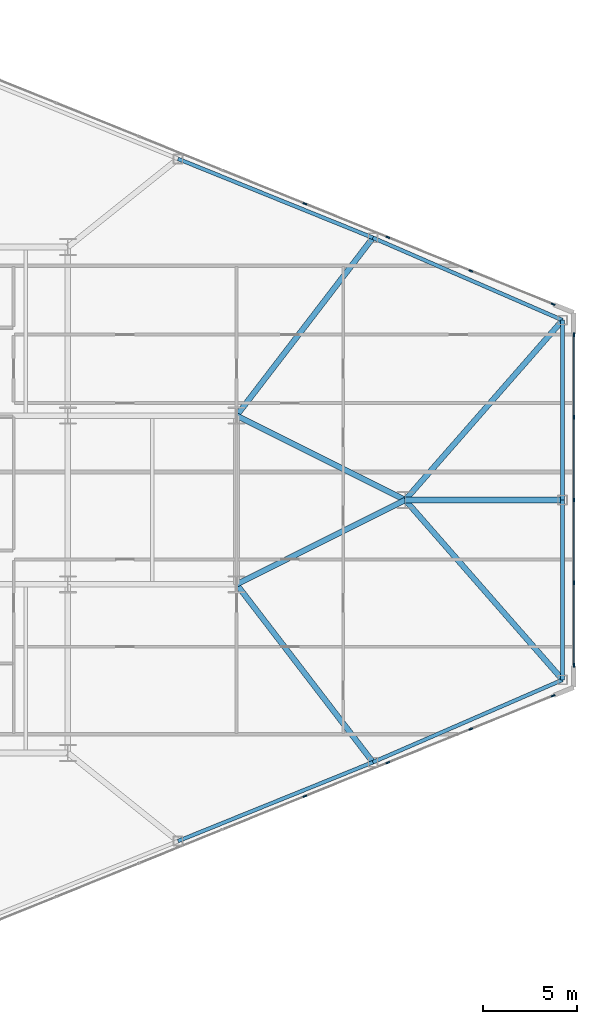
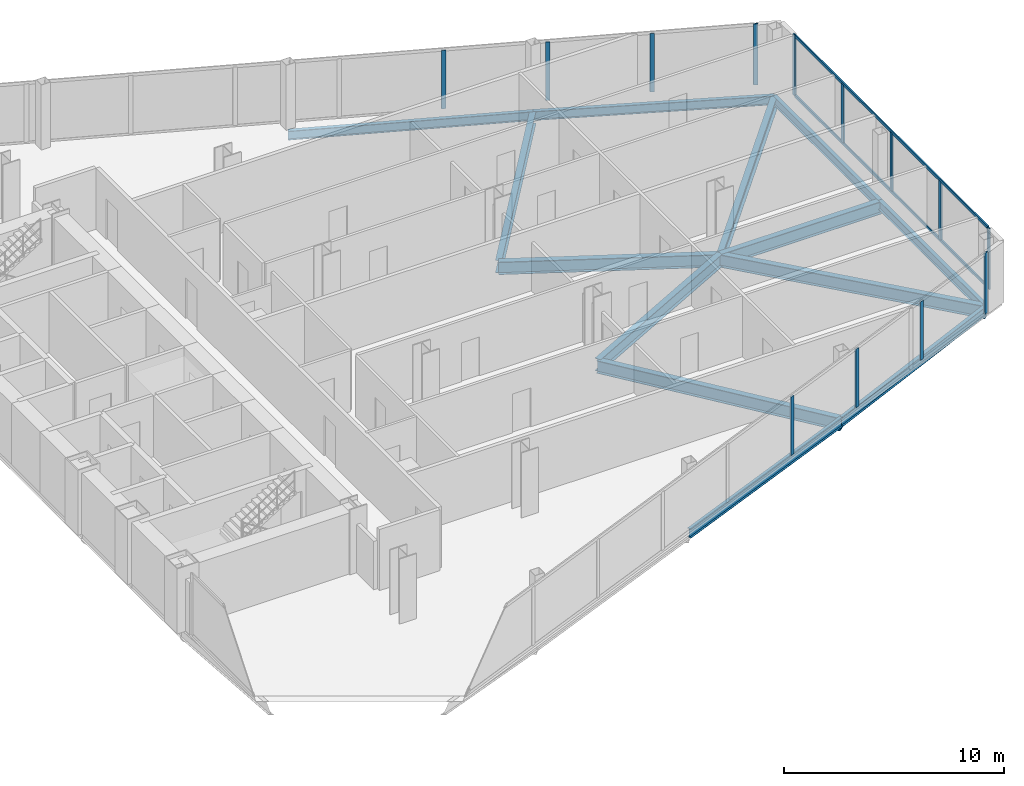
# One storey, part 14 of 25: 15 members, 13 beams, 3 elements without a shape of their own.
"""IFC4 building model written with IfcOpenShell, lengths in metres."""

from ifc_helpers import new_model, si_unit, direction, frame, origin, origin_2d, place, context, subcontext, project, spatial, rectangle, i_section, extrude, source, transform, mapped, material, layer, layer_set, material_profile, profile_set, type_object, type_shapes, element, aggregate, save


model = new_model("IFC4")

# Units and contexts
model_context = context("Model", 3, precision=1e-05, world=origin(), true_north=direction((0.0, 1.0)))
body_context = subcontext(model_context, "Body", "Model", "MODEL_VIEW")
ifc_project = project(units=[si_unit("LENGTHUNIT", "METRE"), si_unit("AREAUNIT", "SQUARE_METRE"), si_unit("VOLUMEUNIT", "CUBIC_METRE"), si_unit("PLANEANGLEUNIT", "RADIAN"), si_unit("MASSUNIT", "GRAM", prefix="KILO")], contexts=[model_context])

# Site, building, storey
site_placement = place(None, origin())
site = spatial("IfcSite", under=ifc_project, at=site_placement, CompositionType="ELEMENT")
building_placement = place(site_placement, origin())
building = spatial("IfcBuilding", under=site, at=building_placement, Name="Seokmaru Belvedere", CompositionType="ELEMENT")
storey_placement = place(building_placement, frame((0.0, 0.0, 47.699951171875)))
storey = spatial("IfcBuildingStorey", under=building, at=storey_placement, Name="L12", CompositionType="ELEMENT", Elevation=47.699951171875)

# Beams
ifc_material_1 = material(Name="Steel SM355 (355 MPa)", Category="steel")
ifc_material_profile_1 = material_profile(ifc_material_1, i_section(OverallWidth=0.300048828125, OverallDepth=0.699951171875, WebThickness=0.012939453125, FlangeThickness=0.02392578125, at=origin_2d()), Name="H-700x300x13x24")
ifc_profile_set_1 = profile_set([ifc_material_profile_1], Name="Steel SM355 (355 MPa)")
beam_type_1 = type_object("IfcBeamType", Name="Primary Floor Girder H-700", PredefinedType="BEAM", material=ifc_profile_set_1)
shared_shape_1 = source(origin(), body_context, "Body", "SweptSolid", [
    extrude(i_section(OverallWidth=0.300048828125, OverallDepth=0.699951171875, WebThickness=0.012939453125, FlangeThickness=0.02392578125, at=origin_2d()), origin(), (0.0, 0.0, 1.0), 10.062255859375),
])
for number, where, z_axis, x_axis, name in (
    (1, (54.5, -4.5, -0.570068359375), (0.894427191, 0.4472135955, 0.0), (-0.4472135955, 0.894427191, 0.0), "L12 E Apex Converging Girder 1"),
    (2, (54.5, 4.5, -0.570068359375), (0.894427191, -0.4472135955, 0.0), (0.4472135955, 0.894427191, 0.0), "L12 E Apex Converging Girder 2"),
):
    element("IfcBeam", number, at=place(storey_placement, frame(where, z_axis=z_axis, x_axis=x_axis)), inside=storey, type_object=beam_type_1, Name=name, PredefinedType="BEAM", context=body_context, shape_type="MappedRepresentation", body=[
        mapped(shared_shape_1, transform((0.0, 0.0, 0.0), scale=1.0)),
    ])
shared_shape_2 = source(origin(), body_context, "Body", "SweptSolid", [
    extrude(i_section(OverallWidth=0.300048828125, OverallDepth=0.699951171875, WebThickness=0.012939453125, FlangeThickness=0.02392578125, at=origin_2d()), origin(), (0.0, 0.0, 1.0), 12.7529296875),
])
for number, where, z_axis, x_axis, name in (
    (3, (71.89990234375, -9.595703125, -0.570068359375), (-0.658667231479, 0.752434368019, 0.0), (-0.752434368019, -0.658667231479, 0.0), "L12 E Apex Radial Floor Girder 1"),
    (4, (71.89990234375, 9.595703125, -0.570068359375), (-0.658667231479, -0.752434368019, 0.0), (0.752434368019, -0.658667231479, 0.0), "L12 E Apex Radial Floor Girder 2"),
):
    element("IfcBeam", number, at=place(storey_placement, frame(where, z_axis=z_axis, x_axis=x_axis)), inside=storey, type_object=beam_type_1, Name=name, PredefinedType="BEAM", context=body_context, shape_type="MappedRepresentation", body=[
        mapped(shared_shape_2, transform((0.0, 0.0, 0.0), scale=1.0)),
    ])
ifc_material_profile_2 = material_profile(ifc_material_1, i_section(OverallWidth=0.199951171875, OverallDepth=0.5, WebThickness=0.010009765625, FlangeThickness=0.01611328125, at=origin_2d()), Name="H-500x200x10x16")
ifc_profile_set_2 = profile_set([ifc_material_profile_2], Name="Steel SM355 (355 MPa)")
beam_type_2 = type_object("IfcBeamType", Name="Perimeter Spandrel Beam H-500", PredefinedType="SPANDREL", material=ifc_profile_set_2)
shared_shape_3 = source(origin(), body_context, "Body", "SweptSolid", [
    extrude(i_section(OverallWidth=0.199951171875, OverallDepth=0.5, WebThickness=0.010009765625, FlangeThickness=0.01611328125, at=origin_2d()), origin(), (0.0, 0.0, 1.0), 11.220703125),
])
for number, where, z_axis, x_axis, name in (
    (5, (51.378173828125, -18.2041015625, -0.469970703125), (0.926944290816, 0.375198989503, 0.0), (-0.375198989503, 0.926944290816, 0.0), "L12 E Faceted Flank Spandrel S-3"),
    (6, (51.378173828125, 18.2041015625, -0.469970703125), (0.926944290816, -0.375198989503, 0.0), (0.375198989503, 0.926944290816, 0.0), "L12 E Faceted Flank Spandrel N-3"),
):
    element("IfcBeam", number, at=place(storey_placement, frame(where, z_axis=z_axis, x_axis=x_axis)), inside=storey, type_object=beam_type_2, Name=name, PredefinedType="SPANDREL", context=body_context, shape_type="MappedRepresentation", body=[
        mapped(shared_shape_3, transform((0.0, 0.0, 0.0), scale=1.0)),
    ])
shared_shape_4 = source(origin(), body_context, "Body", "SweptSolid", [
    extrude(i_section(OverallWidth=0.199951171875, OverallDepth=0.5, WebThickness=0.010009765625, FlangeThickness=0.01611328125, at=origin_2d()), origin(), (0.0, 0.0, 1.0), 11.035400390625),
])
for number, where, z_axis, x_axis, name in (
    (7, (61.779052734375, -13.994140625, -0.469970703125), (0.917134058682, 0.398578873507, 0.0), (-0.398578873507, 0.917134058682, 0.0), "L12 E Faceted Flank Spandrel S-4"),
    (8, (61.779052734375, 13.994140625, -0.469970703125), (0.917134058682, -0.398578873507, 0.0), (0.398578873507, 0.917134058682, 0.0), "L12 E Faceted Flank Spandrel N-4"),
):
    element("IfcBeam", number, at=place(storey_placement, frame(where, z_axis=z_axis, x_axis=x_axis)), inside=storey, type_object=beam_type_2, Name=name, PredefinedType="SPANDREL", context=body_context, shape_type="MappedRepresentation", body=[
        mapped(shared_shape_4, transform((0.0, 0.0, 0.0), scale=1.0)),
    ])
shared_shape_5 = source(origin(), body_context, "Body", "SweptSolid", [
    extrude(i_section(OverallWidth=0.199951171875, OverallDepth=0.5, WebThickness=0.010009765625, FlangeThickness=0.01611328125, at=origin_2d()), origin(), (0.0, 0.0, 1.0), 9.595703125),
])
type_shapes(beam_type_2, [shared_shape_3, shared_shape_4, shared_shape_5])
for number, where, z_axis, x_axis, name in (
    (9, (71.89990234375, -9.595703125, -0.469970703125), (0.0, 1.0, 0.0), (-1.0, 0.0, 0.0), "L12 E Faceted Apex Spandrel S"),
    (10, (71.89990234375, 0.0, -0.469970703125), (0.0, 1.0, 0.0), (-1.0, 0.0, 0.0), "L12 E Faceted Apex Spandrel N"),
):
    element("IfcBeam", number, at=place(storey_placement, frame(where, z_axis=z_axis, x_axis=x_axis)), inside=storey, type_object=beam_type_2, Name=name, PredefinedType="SPANDREL", context=body_context, shape_type="MappedRepresentation", body=[
        mapped(shared_shape_5, transform((0.0, 0.0, 0.0), scale=1.0)),
    ])
shared_shape_6 = source(origin(), body_context, "Body", "SweptSolid", [
    extrude(i_section(OverallWidth=0.300048828125, OverallDepth=0.699951171875, WebThickness=0.012939453125, FlangeThickness=0.02392578125, at=origin_2d()), origin(), (0.0, 0.0, 1.0), 11.96337890625),
])
for number, where, z_axis, x_axis, name in (
    (11, (61.779052734375, -13.994140625, -0.570068359375), (-0.608442682624, 0.793597821294, 0.0), (-0.793597821294, -0.608442682624, 0.0), "L12 E Flank Radial Floor Girder S-3"),
    (12, (61.779052734375, 13.994140625, -0.570068359375), (-0.608442682624, -0.793597821294, 0.0), (0.793597821294, -0.608442682624, 0.0), "L12 E Flank Radial Floor Girder N-3"),
):
    element("IfcBeam", number, at=place(storey_placement, frame(where, z_axis=z_axis, x_axis=x_axis)), inside=storey, type_object=beam_type_1, Name=name, PredefinedType="BEAM", context=body_context, shape_type="MappedRepresentation", body=[
        mapped(shared_shape_6, transform((0.0, 0.0, 0.0), scale=1.0)),
    ])
shared_shape_7 = source(origin(), body_context, "Body", "SweptSolid", [
    extrude(i_section(OverallWidth=0.300048828125, OverallDepth=0.699951171875, WebThickness=0.012939453125, FlangeThickness=0.02392578125, at=origin_2d()), origin(), (0.0, 0.0, 1.0), 8.39990234375),
])
type_shapes(beam_type_1, [shared_shape_1, shared_shape_2, shared_shape_6, shared_shape_7])
beam_placement = place(storey_placement, frame((71.89990234375, 0.0, -0.570068359375), z_axis=(-1.0, 0.0, 0.0), x_axis=(0.0, -1.0, 0.0)))
element("IfcBeam", 13, at=beam_placement, inside=storey, type_object=beam_type_1, Name="L12 E Apex Center Radial Girder", PredefinedType="BEAM", context=body_context, shape_type="MappedRepresentation", body=[
    mapped(shared_shape_7, transform((0.0, 0.0, 0.0), scale=1.0)),
])

# Curtain wall, member
ifc_material_2 = material(Name="Bronze Triple Insulating Glass", Category="glass")
ifc_layer = layer(ifc_material_2, 0.2099609375)
ifc_layer_set = layer_set([ifc_layer], Name="Bronze Triple Insulating Glass")
curtain_wall_type = type_object("IfcCurtainWallType", Name="Low-Rise Faceted Crystal Curtain Wall System CW-2", PredefinedType="NOTDEFINED", material=ifc_layer_set)
curtain_wall_1_placement = place(storey_placement, origin())
curtain_wall_1 = element("IfcCurtainWall", 14, at=curtain_wall_1_placement, inside=storey, type_object=curtain_wall_type, Name="L12 Curtain Wall EF1", PredefinedType="NOTDEFINED")
ifc_material_3 = material(Name="Anodised Bronze Aluminium", Category="aluminium")
ifc_material_profile_3 = material_profile(ifc_material_3, rectangle(XDim=0.074951171875, YDim=0.2099609375, at=origin_2d()), Name="CW-M-75x210")
ifc_profile_set_3 = profile_set([ifc_material_profile_3], Name="Anodised Bronze Aluminium")
member_type_1 = type_object("IfcMemberType", Name="Bronze Unitised Mullion 75x210", PredefinedType="MULLION", material=ifc_profile_set_3)
shared_shape_8 = source(origin(), body_context, "Body", "SweptSolid", [
    extrude(rectangle(XDim=0.074951171875, YDim=0.2099609375, at=origin_2d()), origin(), (0.0, 0.0, 1.0), 3.380126953125),
])
member_1_placement = place(storey_placement, frame((71.399169921875, -10.445556640625, 0.0), z_axis=(0.0, 0.0, 1.0), x_axis=(-0.375192321888, 0.926946989637, 0.0)))
member_1 = element("IfcMember", 15, at=member_1_placement, type_object=member_type_1, Name="CW:L12:EF1 Mullion 10", PredefinedType="MULLION", context=body_context, shape_type="MappedRepresentation", body=[
    mapped(shared_shape_8, transform((0.0, 0.0, 0.0), scale=1.0)),
])

# Curtain wall, members
curtain_wall_2_placement = place(storey_placement, origin())
curtain_wall_2 = element("IfcCurtainWall", 16, at=curtain_wall_2_placement, inside=storey, type_object=curtain_wall_type, Name="L12 Curtain Wall EF2", PredefinedType="NOTDEFINED")
member_2_placement = place(storey_placement, frame((72.5, -8.8125, 0.0), z_axis=(0.0, 0.0, 1.0), x_axis=(-1.0, 0.0, 0.0)))
member_2 = element("IfcMember", 17, at=member_2_placement, type_object=member_type_1, Name="CW:L12:EF2 Mullion 1", PredefinedType="MULLION", context=body_context, shape_type="MappedRepresentation", body=[
    mapped(shared_shape_8, transform((0.0, 0.0, 0.0), scale=1.0)),
])
member_3_placement = place(storey_placement, frame((72.5, 8.8125, 0.0), z_axis=(0.0, 0.0, 1.0), x_axis=(-1.0, 0.0, 0.0)))
member_3 = element("IfcMember", 18, at=member_3_placement, type_object=member_type_1, Name="CW:L12:EF2 Mullion 5", PredefinedType="MULLION", context=body_context, shape_type="MappedRepresentation", body=[
    mapped(shared_shape_8, transform((0.0, 0.0, 0.0), scale=1.0)),
])

# Curtain wall, member
curtain_wall_3_placement = place(storey_placement, origin())
curtain_wall_3 = element("IfcCurtainWall", 19, at=curtain_wall_3_placement, inside=storey, type_object=curtain_wall_type, Name="L12 Curtain Wall EF3", PredefinedType="NOTDEFINED")
member_4_placement = place(storey_placement, frame((71.399169921875, 10.445556640625, 0.0), z_axis=(0.0, 0.0, 1.0), x_axis=(-0.375192321888, -0.926946989637, 0.0)))
member_4 = element("IfcMember", 20, at=member_4_placement, type_object=member_type_1, Name="CW:L12:EF3 Mullion 1", PredefinedType="MULLION", context=body_context, shape_type="MappedRepresentation", body=[
    mapped(shared_shape_8, transform((0.0, 0.0, 0.0), scale=1.0)),
])

# Member
shared_shape_9 = source(origin(), body_context, "Body", "SweptSolid", [
    extrude(rectangle(XDim=0.074951171875, YDim=0.2099609375, at=origin_2d()), origin(), (0.0, 0.0, 1.0), 3.239990234375),
])
type_shapes(member_type_1, [shared_shape_8, shared_shape_9])
member_5_placement = place(storey_placement, frame((58.144775390625, -15.810546875, 0.070068359375), z_axis=(0.0, 0.0, 1.0), x_axis=(-0.375192321888, 0.926946989637, 0.0)))
member_5 = element("IfcMember", 21, at=member_5_placement, type_object=member_type_1, Name="CW:L12:EF1 Mullion 7", PredefinedType="MULLION", context=body_context, shape_type="MappedRepresentation", body=[
    mapped(shared_shape_9, transform((0.0, 0.0, 0.0), scale=1.0)),
])

member_6_placement = place(storey_placement, frame((62.574462890625, -14.017578125, 0.070068359375), z_axis=(0.0, 0.0, 1.0), x_axis=(-0.375192321888, 0.926946989637, 0.0)))
member_6 = element("IfcMember", 22, at=member_6_placement, type_object=member_type_1, Name="CW:L12:EF1 Mullion 8", PredefinedType="MULLION", context=body_context, shape_type="MappedRepresentation", body=[
    mapped(shared_shape_9, transform((0.0, 0.0, 0.0), scale=1.0)),
])

member_7_placement = place(storey_placement, frame((67.004150390625, -12.224609375, 0.070068359375), z_axis=(0.0, 0.0, 1.0), x_axis=(-0.375192321888, 0.926946989637, 0.0)))
member_7 = element("IfcMember", 23, at=member_7_placement, type_object=member_type_1, Name="CW:L12:EF1 Mullion 9", PredefinedType="MULLION", context=body_context, shape_type="MappedRepresentation", body=[
    mapped(shared_shape_9, transform((0.0, 0.0, 0.0), scale=1.0)),
])

aggregate(curtain_wall_1, [member_5, member_6, member_7, member_1])

member_8_placement = place(storey_placement, frame((72.5, -4.425048828125, 0.070068359375), z_axis=(0.0, 0.0, 1.0), x_axis=(-1.0, 0.0, 0.0)))
member_8 = element("IfcMember", 24, at=member_8_placement, type_object=member_type_1, Name="CW:L12:EF2 Mullion 2", PredefinedType="MULLION", context=body_context, shape_type="MappedRepresentation", body=[
    mapped(shared_shape_9, transform((0.0, 0.0, 0.0), scale=1.0)),
])

member_9_placement = place(storey_placement, frame((72.5, 0.0, 0.070068359375), z_axis=(0.0, 0.0, 1.0), x_axis=(-1.0, 0.0, 0.0)))
member_9 = element("IfcMember", 25, at=member_9_placement, type_object=member_type_1, Name="CW:L12:EF2 Mullion 3", PredefinedType="MULLION", context=body_context, shape_type="MappedRepresentation", body=[
    mapped(shared_shape_9, transform((0.0, 0.0, 0.0), scale=1.0)),
])

member_10_placement = place(storey_placement, frame((72.5, 4.425048828125, 0.070068359375), z_axis=(0.0, 0.0, 1.0), x_axis=(-1.0, 0.0, 0.0)))
member_10 = element("IfcMember", 26, at=member_10_placement, type_object=member_type_1, Name="CW:L12:EF2 Mullion 4", PredefinedType="MULLION", context=body_context, shape_type="MappedRepresentation", body=[
    mapped(shared_shape_9, transform((0.0, 0.0, 0.0), scale=1.0)),
])

member_11_placement = place(storey_placement, frame((67.004150390625, 12.224609375, 0.070068359375), z_axis=(0.0, 0.0, 1.0), x_axis=(-0.375192321888, -0.926946989637, 0.0)))
member_11 = element("IfcMember", 27, at=member_11_placement, type_object=member_type_1, Name="CW:L12:EF3 Mullion 2", PredefinedType="MULLION", context=body_context, shape_type="MappedRepresentation", body=[
    mapped(shared_shape_9, transform((0.0, 0.0, 0.0), scale=1.0)),
])

member_12_placement = place(storey_placement, frame((62.574462890625, 14.017578125, 0.070068359375), z_axis=(0.0, 0.0, 1.0), x_axis=(-0.375192321888, -0.926946989637, 0.0)))
member_12 = element("IfcMember", 28, at=member_12_placement, type_object=member_type_1, Name="CW:L12:EF3 Mullion 3", PredefinedType="MULLION", context=body_context, shape_type="MappedRepresentation", body=[
    mapped(shared_shape_9, transform((0.0, 0.0, 0.0), scale=1.0)),
])

member_13_placement = place(storey_placement, frame((58.144775390625, 15.810546875, 0.070068359375), z_axis=(0.0, 0.0, 1.0), x_axis=(-0.375192321888, -0.926946989637, 0.0)))
member_13 = element("IfcMember", 29, at=member_13_placement, type_object=member_type_1, Name="CW:L12:EF3 Mullion 4", PredefinedType="MULLION", context=body_context, shape_type="MappedRepresentation", body=[
    mapped(shared_shape_9, transform((0.0, 0.0, 0.0), scale=1.0)),
])

aggregate(curtain_wall_3, [member_4, member_11, member_12, member_13])

ifc_material_profile_4 = material_profile(ifc_material_3, rectangle(XDim=0.070068359375, YDim=0.1650390625, at=origin_2d()), Name="CW-T-70x165")
ifc_profile_set_4 = profile_set([ifc_material_profile_4], Name="Anodised Bronze Aluminium")
member_type_2 = type_object("IfcMemberType", Name="Bronze Unitised Transom 70x165", PredefinedType="USERDEFINED", material=ifc_profile_set_4)
shared_shape_10 = source(origin(), body_context, "Body", "SweptSolid", [
    extrude(rectangle(XDim=0.070068359375, YDim=0.1650390625, at=origin_2d()), origin(), (0.0, 0.0, 1.0), 17.5498046875),
])
type_shapes(member_type_2, [shared_shape_10])
member_14_placement = place(storey_placement, frame((72.5, -8.77490234375, 0.03515625), z_axis=(0.0, 1.0, 0.0), x_axis=(-1.0, 0.0, 0.0)))
member_14 = element("IfcMember", 30, at=member_14_placement, type_object=member_type_2, Name="CW:L12:EF2 Continuous Transom 1", ObjectType="TRANSOM", PredefinedType="USERDEFINED", context=body_context, shape_type="MappedRepresentation", body=[
    mapped(shared_shape_10, transform((0.0, 0.0, 0.0), scale=1.0)),
])

member_15_placement = place(storey_placement, frame((72.5, -8.77490234375, 3.344970703125), z_axis=(0.0, 1.0, 0.0), x_axis=(-1.0, 0.0, 0.0)))
member_15 = element("IfcMember", 31, at=member_15_placement, type_object=member_type_2, Name="CW:L12:EF2 Continuous Transom 2", ObjectType="TRANSOM", PredefinedType="USERDEFINED", context=body_context, shape_type="MappedRepresentation", body=[
    mapped(shared_shape_10, transform((0.0, 0.0, 0.0), scale=1.0)),
])

aggregate(curtain_wall_2, [member_2, member_8, member_9, member_10, member_3, member_14, member_15])

save(model, "model.ifc")
